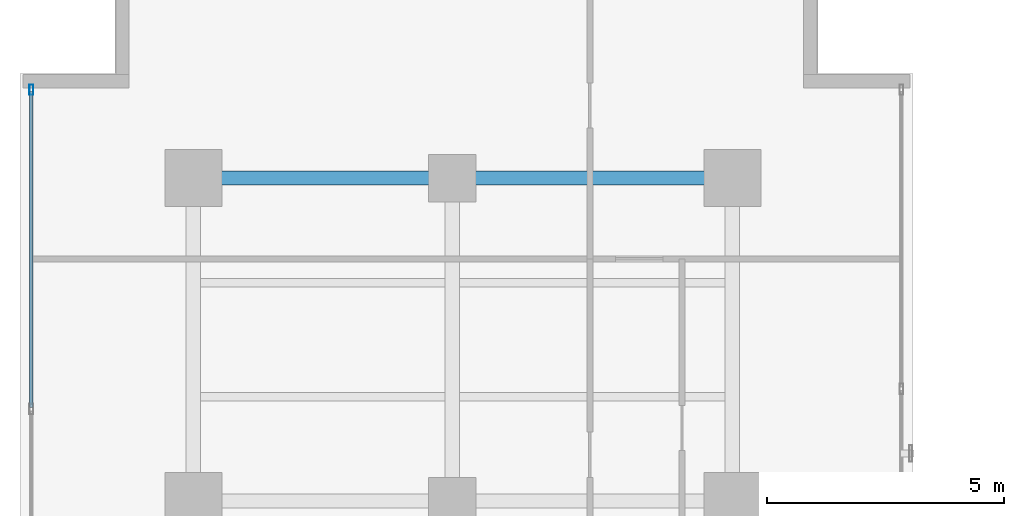
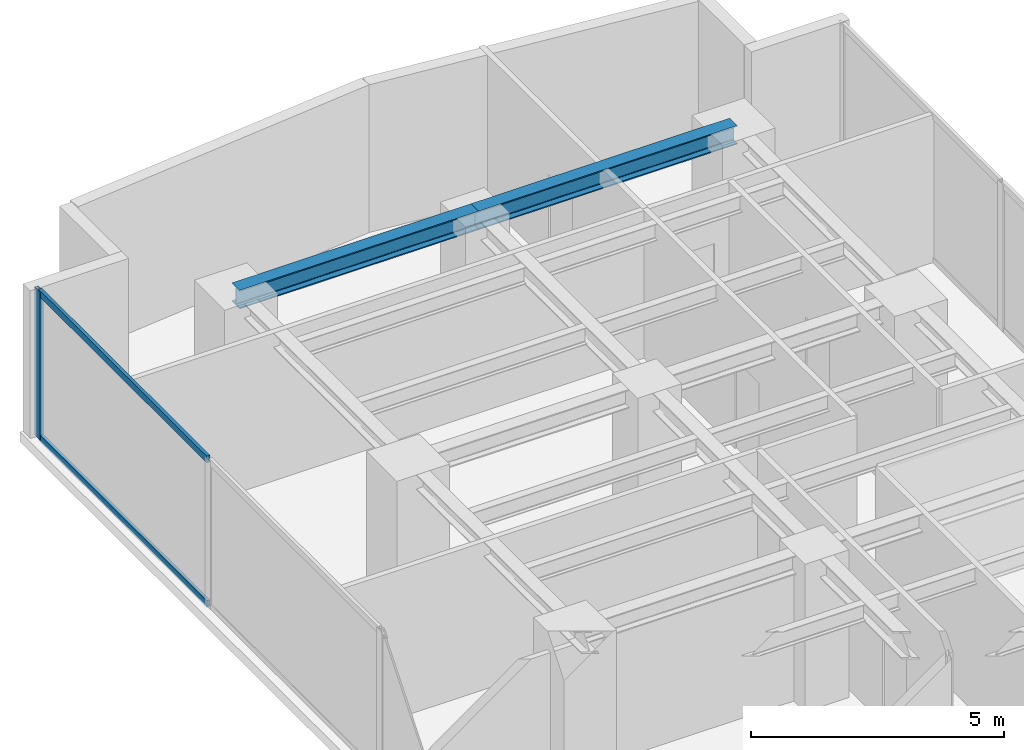
# One storey, part 16 of 24: 3 members, 2 beams, 1 element without a shape of its own.
"""IFC4 building model written with IfcOpenShell, lengths in metres."""

from ifc_helpers import new_model, si_unit, direction, frame, origin, origin_with_axes, origin_2d, place, context, subcontext, project, spatial, hollow_rectangle, i_section, extrude, source, transform, mapped, material, layer, layer_set, material_profile, profile_set, type_object, element, aggregate, save


model = new_model("IFC4")

# Units and contexts
model_context = context("Model", 3, precision=1e-05, world=origin(), true_north=direction((0.0, 1.0)))
body_context = subcontext(model_context, "Body", "Model", "MODEL_VIEW")
ifc_project = project(units=[si_unit("LENGTHUNIT", "METRE"), si_unit("AREAUNIT", "SQUARE_METRE"), si_unit("VOLUMEUNIT", "CUBIC_METRE"), si_unit("PLANEANGLEUNIT", "RADIAN"), si_unit("MASSUNIT", "GRAM", prefix="KILO")], contexts=[model_context])

# Site, building, storey
site_placement = place(None, origin())
site = spatial("IfcSite", under=ifc_project, at=site_placement, CompositionType="ELEMENT")
building_placement = place(site_placement, origin())
building = spatial("IfcBuilding", under=site, at=building_placement, Name="Kolvaren Waterfront Exchange", CompositionType="ELEMENT")
storey_placement = place(building_placement, frame((0.0, 0.0, 169.0)))
storey = spatial("IfcBuildingStorey", under=building, at=storey_placement, Name="L43", CompositionType="ELEMENT", Elevation=169.0)

# Beams
ifc_material_1 = material(Name="Steel S355", Category="steel")
ifc_material_profile_1 = material_profile(ifc_material_1, i_section(OverallWidth=0.300048828125, OverallDepth=0.449951171875, WebThickness=0.013916015625, FlangeThickness=0.02587890625, FilletRadius=0.027099609375, at=origin_2d()), Name="HEB450")
ifc_profile_set_1 = profile_set([ifc_material_profile_1], Name="Steel S355")
beam_type = type_object("IfcBeamType", Name="STR-BM-HEB450", PredefinedType="BEAM", material=ifc_profile_set_1)
beam_1_placement = place(storey_placement, frame((7.449951171875, 44.60009765625, 3.3349609375), z_axis=(1.0, 0.0, 0.0), x_axis=(0.0, 1.0, 0.0)))
element("IfcBeam", 1, at=beam_1_placement, inside=storey, type_object=beam_type, Name="L43 north-arm girder 4A", PredefinedType="BEAM", context=body_context, shape_type="SweptSolid", body=[
    extrude(i_section(OverallWidth=0.300048828125, OverallDepth=0.449951171875, WebThickness=0.013916015625, FlangeThickness=0.02587890625, FilletRadius=0.027099609375, at=origin_2d()), origin(), (0.0, 0.0, 1.0), 5.449951171875),
])
beam_2_placement = place(storey_placement, frame((12.89990234375, 44.60009765625, 3.3349609375), z_axis=(1.0, 0.0, 0.0), x_axis=(0.0, 1.0, 0.0)))
element("IfcBeam", 2, at=beam_2_placement, inside=storey, type_object=beam_type, Name="L43 north-arm girder 4B", PredefinedType="BEAM", context=body_context, shape_type="SweptSolid", body=[
    extrude(i_section(OverallWidth=0.300048828125, OverallDepth=0.449951171875, WebThickness=0.013916015625, FlangeThickness=0.02587890625, FilletRadius=0.027099609375, at=origin_2d()), origin(), (0.0, 0.0, 1.0), 5.900146484375),
])

# Curtain wall, members
ifc_material_2 = material(Name="Anodised aluminium 6063-T6", Category="aluminium")
ifc_layer = layer(ifc_material_2, 0.219970703125, Name="Anodised aluminium 6063-T6")
ifc_layer_set = layer_set([ifc_layer], Name="Anodised aluminium 6063-T6")
curtain_wall_type = type_object("IfcCurtainWallType", Name="ARC-CW-SYS2", PredefinedType="USERDEFINED", material=ifc_layer_set)
curtain_wall_placement = place(storey_placement, origin())
curtain_wall = element("IfcCurtainWall", 3, at=curtain_wall_placement, inside=storey, type_object=curtain_wall_type, Name="L43 stick curtain wall CW2 (CW-L43-W)", ObjectType="STICK CURTAIN WALL", PredefinedType="USERDEFINED")
ifc_material_profile_2 = material_profile(ifc_material_2, hollow_rectangle(XDim=0.080078125, YDim=0.219970703125, WallThickness=0.0048828125, at=origin_2d()), Name="ALU-MUL-220x80x5")
ifc_profile_set_2 = profile_set([ifc_material_profile_2], Name="Anodised aluminium 6063-T6")
member_type_1 = type_object("IfcMemberType", Name="ARC-CWM-220", PredefinedType="MULLION", material=ifc_profile_set_2)
shared_shape_1 = source(origin_with_axes(), body_context, "Body", "SweptSolid", [
    extrude(hollow_rectangle(XDim=0.080078125, YDim=0.219970703125, WallThickness=0.0048828125, at=origin_2d()), origin(), (0.0, 0.0, 1.0), 3.56005859375),
])
member_1_placement = place(storey_placement, frame((4.0400390625, 46.4599609375, 0.0), z_axis=(0.0, 0.0, 1.0), x_axis=(-1.0, 0.0, 0.0)))
member_1 = element("IfcMember", 4, at=member_1_placement, type_object=member_type_1, Name="CW2 mullion 7", PredefinedType="MULLION", context=body_context, shape_type="MappedRepresentation", body=[
    mapped(shared_shape_1, transform((0.0, 0.0, 0.0), x_axis=(1.0, 0.0, 0.0), y_axis=(0.0, 1.0, 0.0), z_axis=(0.0, 0.0, 1.0), scale=1.0)),
])
ifc_material_profile_3 = material_profile(ifc_material_2, hollow_rectangle(XDim=0.074951171875, YDim=0.159912109375, WallThickness=0.00439453125, at=origin_2d()), Name="ALU-TRN-160x75x4.5")
ifc_profile_set_3 = profile_set([ifc_material_profile_3], Name="Anodised aluminium 6063-T6")
member_type_2 = type_object("IfcMemberType", Name="ARC-CWT-160", PredefinedType="USERDEFINED", material=ifc_profile_set_3)
shared_shape_2 = source(origin_with_axes(), body_context, "Body", "SweptSolid", [
    extrude(hollow_rectangle(XDim=0.074951171875, YDim=0.159912109375, WallThickness=0.00439453125, at=origin_2d()), origin(), (0.0, 0.0, 1.0), 6.646484375),
])
member_2_placement = place(storey_placement, frame((4.0400390625, 39.7734375, 0.03759765625), z_axis=(0.0, 1.0, 0.0), x_axis=(-1.0, 0.0, 0.0)))
member_2 = element("IfcMember", 5, at=member_2_placement, type_object=member_type_2, Name="CW2 transom 6.1", ObjectType="TRANSOM", PredefinedType="USERDEFINED", context=body_context, shape_type="MappedRepresentation", body=[
    mapped(shared_shape_2, transform((0.0, 0.0, 0.0), x_axis=(1.0, 0.0, 0.0), y_axis=(0.0, 1.0, 0.0), z_axis=(0.0, 0.0, 1.0), scale=1.0)),
])
member_3_placement = place(storey_placement, frame((4.0400390625, 39.7734375, 3.5224609375), z_axis=(0.0, 1.0, 0.0), x_axis=(-1.0, 0.0, 0.0)))
member_3 = element("IfcMember", 6, at=member_3_placement, type_object=member_type_2, Name="CW2 transom 6.2", ObjectType="TRANSOM", PredefinedType="USERDEFINED", context=body_context, shape_type="MappedRepresentation", body=[
    mapped(shared_shape_2, transform((0.0, 0.0, 0.0), x_axis=(1.0, 0.0, 0.0), y_axis=(0.0, 1.0, 0.0), z_axis=(0.0, 0.0, 1.0), scale=1.0)),
])
aggregate(curtain_wall, [member_1, member_2, member_3])

save(model, "model.ifc")
